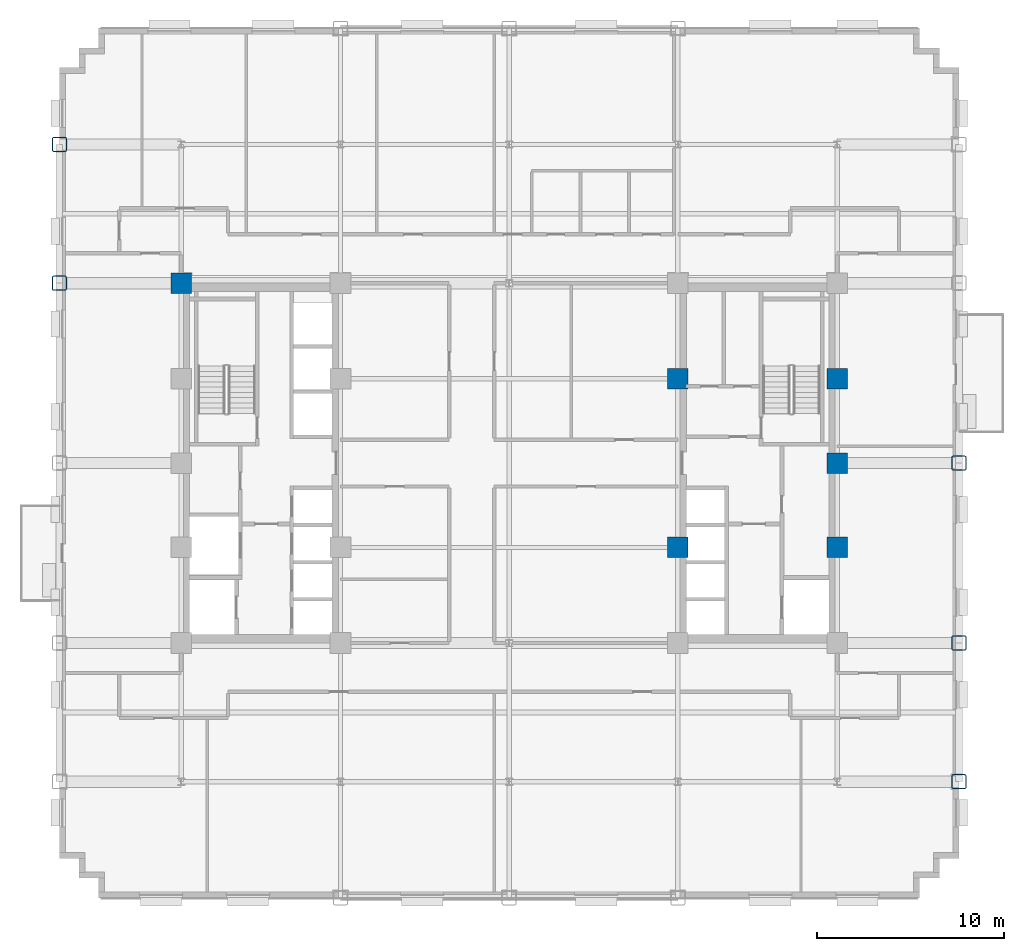
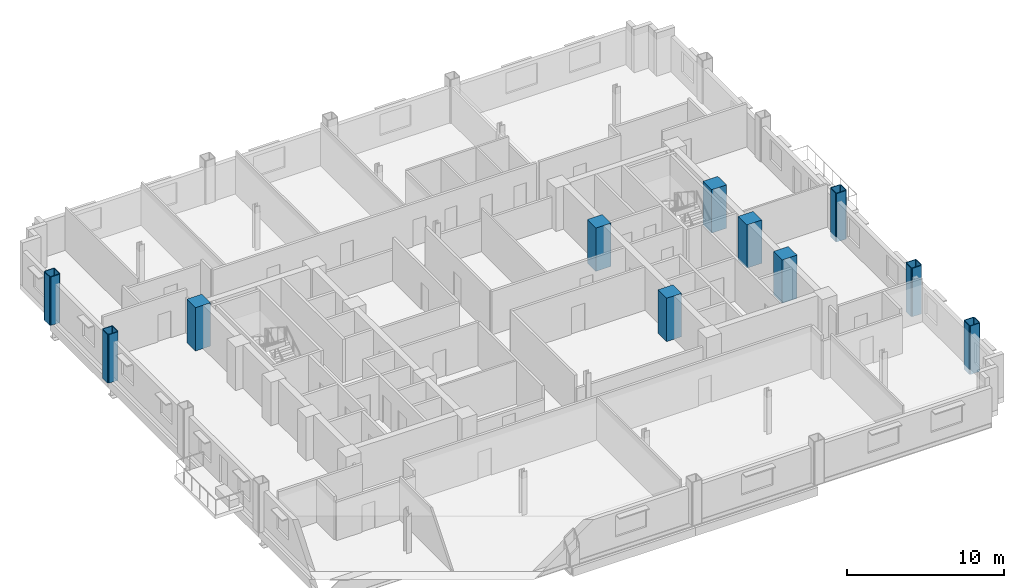
# One storey, part 2 of 15: 11 columns.
"""IFC4 building model written with IfcOpenShell, lengths in metres."""

import ifcopenshell
import ifcopenshell.guid

model = None  # the IFC model being written
_history = None  # IfcOwnerHistory: only IFC2X3 demands one
_inside = {}  # id of a spatial element -> (the spatial element, [elements in it])
_under = {}  # id of a project, library or spatial element -> (it, [spatial elements below it])
_declared = {}  # id of a project -> (the project, [libraries it declares])
_typed = {}  # id of a type object -> (the type object, [elements of that type])
_made_of = {}  # id of a material, layer set ... -> (it, [elements and type objects made of it])


def new_model(schema):
    """Start an empty IFC model of exactly this schema.

    Asked for "IFC4X3", IfcOpenShell would pick the latest addendum, in which some entities
    have other attributes; the version numbers below select the first issue.
    IFC2X3 requires an IfcOwnerHistory on every rooted entity: one is made here for all.
    """
    global model, _history
    if schema == "IFC4X3":
        model = ifcopenshell.file(schema_version=(4, 3, 0, 0))
    else:
        model = ifcopenshell.file(schema=schema)
    _inside.clear()
    _under.clear()
    _declared.clear()
    _typed.clear()
    _made_of.clear()
    _history = None
    if model.schema == "IFC2X3":
        org = make("IfcOrganization", Name="unknown")
        user = make(
            "IfcPersonAndOrganization",
            ThePerson=make("IfcPerson", FamilyName="unknown"),
            TheOrganization=org,
        )
        app = make(
            "IfcApplication",
            ApplicationDeveloper=org,
            Version="unknown",
            ApplicationFullName="unknown",
            ApplicationIdentifier="unknown",
        )
        _history = make(
            "IfcOwnerHistory",
            OwningUser=user,
            OwningApplication=app,
            ChangeAction="ADDED",
            CreationDate=0,
        )
    return model


def make(cls, **values):
    """One entity of the class cls with the attributes given. An attribute that is None is left unset."""
    return model.create_entity(
        cls, **{name: value for name, value in values.items() if value is not None}
    )


def rooted(cls, **values):
    """An entity with a GlobalId (a new one), such as an element, a storey or a relation."""
    return make(cls, GlobalId=ifcopenshell.guid.new(), OwnerHistory=_history, **values)


def si_unit(unit_type, name, prefix=None):
    """IfcSIUnit, for example si_unit("LENGTHUNIT", "METRE", prefix="MILLI")."""
    return make("IfcSIUnit", UnitType=unit_type, Prefix=prefix, Name=name)


def assignment(units):
    """IfcUnitAssignment: the units of a project."""
    return None if units is None else make("IfcUnitAssignment", Units=units)


def point(xyz):
    """IfcCartesianPoint."""
    return None if xyz is None else make("IfcCartesianPoint", Coordinates=xyz)


def direction(xyz):
    """IfcDirection."""
    return None if xyz is None else make("IfcDirection", DirectionRatios=xyz)


def frame(location, z_axis=None, x_axis=None):
    """IfcAxis2Placement3D, a coordinate frame: its origin and axes. An axis left out is left unset."""
    return make(
        "IfcAxis2Placement3D",
        Location=point(location),
        Axis=direction(z_axis),
        RefDirection=direction(x_axis),
    )


def frame_2d(location, x_axis=None):
    """IfcAxis2Placement2D, a coordinate frame in the plane: its origin and x axis."""
    return make(
        "IfcAxis2Placement2D", Location=point(location), RefDirection=direction(x_axis)
    )


def origin():
    """The frame at (0, 0, 0) with its axes left unset."""
    return frame((0.0, 0.0, 0.0))


def origin_2d():
    """The frame at (0, 0) in the plane with its x axis left unset."""
    return frame_2d((0.0, 0.0))


def place(relative_to, where):
    """IfcLocalPlacement: puts the frame where relative to a parent placement (None: the world)."""
    return make(
        "IfcLocalPlacement", PlacementRelTo=relative_to, RelativePlacement=where
    )


def context(
    kind, dimensions, precision=None, world=None, true_north=None, identifier=None
):
    """IfcGeometricRepresentationContext, for example the 3D "Model" context."""
    return make(
        "IfcGeometricRepresentationContext",
        ContextIdentifier=identifier,
        ContextType=kind,
        CoordinateSpaceDimension=dimensions,
        Precision=precision,
        WorldCoordinateSystem=world,
        TrueNorth=true_north,
    )


def subcontext(parent, identifier, kind, view, scale=None):
    """IfcGeometricRepresentationSubContext, for example "Body" below "Model"."""
    return make(
        "IfcGeometricRepresentationSubContext",
        ContextIdentifier=identifier,
        ContextType=kind,
        ParentContext=parent,
        TargetScale=scale,
        TargetView=view,
    )


def project(units=None, contexts=None):
    """IfcProject with its units and contexts."""
    return rooted(
        "IfcProject",
        Name="project",
        RepresentationContexts=contexts,
        UnitsInContext=assignment(units),
    )


def spatial(cls, under=None, at=None, **own):
    """A site, building, storey or space (cls), placed at a placement, below another one or the project."""
    s = rooted(cls, ObjectPlacement=at, **own)
    if under is not None:
        _under.setdefault(under.id(), (under, []))[1].append(s)
    return s


def profile(cls, at=None, kind="AREA", **sizes):
    """A parametric profile (cls). Its sizes go by their IFC names, for example OverallWidth=200.0."""
    return make(cls, ProfileType=kind, Position=at, **sizes)


def rectangle(**sizes):
    """IfcRectangleProfileDef."""
    return profile("IfcRectangleProfileDef", **sizes)


def hollow_rectangle(**sizes):
    """IfcRectangleHollowProfileDef."""
    return profile("IfcRectangleHollowProfileDef", **sizes)


def extrude(swept, where, along, depth):
    """IfcExtrudedAreaSolid: the profile swept, set in the frame where, extruded along a direction by depth."""
    return make(
        "IfcExtrudedAreaSolid",
        SweptArea=swept,
        Position=where,
        ExtrudedDirection=direction(along),
        Depth=depth,
    )


def shape(context_of_items, identifier, shape_type, items):
    """IfcShapeRepresentation: the items that make up one representation, for example the "Body"."""
    return make(
        "IfcShapeRepresentation",
        ContextOfItems=context_of_items,
        RepresentationIdentifier=identifier,
        RepresentationType=shape_type,
        Items=items,
    )


def material(Name=None, Category=None):
    """IfcMaterial."""
    return make("IfcMaterial", Name=Name, Category=Category)


def material_profile(
    of_material, cross_section, Name=None, Category=None, Priority=None
):
    """IfcMaterialProfile: a cross section and its material."""
    return make(
        "IfcMaterialProfile",
        Name=Name,
        Material=of_material,
        Profile=cross_section,
        Priority=Priority,
        Category=Category,
    )


def profile_set(profiles, Name=None, composite=None):
    """IfcMaterialProfileSet."""
    return make(
        "IfcMaterialProfileSet",
        Name=Name,
        MaterialProfiles=profiles,
        CompositeProfile=composite,
    )


def made_of(thing, what):
    """Note that an element or type object is made of a material, layer set ...; save() writes the relation."""
    if what is not None:
        _made_of.setdefault(what.id(), (what, []))[1].append(thing)
    return thing


def type_object(cls, material=None, **own):
    """A type object (cls), such as IfcWallType, which elements share."""
    return made_of(rooted(cls, **own), material)


def element(
    cls,
    number,
    at=None,
    inside=None,
    cuts=None,
    type_object=None,
    material=None,
    context=None,
    identifier="Body",
    shape_type=None,
    held_by="IfcProductDefinitionShape",
    body=None,
    shapes=None,
    **own,
):
    """One element of the class cls, such as IfcWall. Its Tag is "e" and its number.

    at: its placement. inside: the storey or other place that contains it. cuts: it is an
    opening in that element (IfcRelVoidsElement). A single representation is given by context,
    identifier, shape_type and body (its items); several are given by shapes. held_by: the class
    of the entity that holds the representations. save() writes the other relations.
    """
    e = rooted(cls, Tag="e%d" % number, ObjectPlacement=at, **own)
    if body is not None:
        shapes = [shape(context, identifier, shape_type, body)]
    if shapes is not None:
        e.Representation = make(held_by, Representations=shapes)
    if inside is not None:
        _inside.setdefault(inside.id(), (inside, []))[1].append(e)
    if cuts is not None:
        rooted(
            "IfcRelVoidsElement", RelatingBuildingElement=cuts, RelatedOpeningElement=e
        )
    if type_object is not None:
        _typed.setdefault(type_object.id(), (type_object, []))[1].append(e)
    return made_of(e, material)


def aggregate(whole, parts):
    """IfcRelAggregates: a whole, such as a stair, and the parts it consists of."""
    return rooted("IfcRelAggregates", RelatingObject=whole, RelatedObjects=parts)


def save(model, path):
    """Write the relations noted so far, then the file.

    IfcRelAggregates (storeys below a building ...), IfcRelContainedInSpatialStructure (elements
    in a storey), IfcRelDefinesByType, IfcRelAssociatesMaterial and IfcRelDeclares: one each for
    every whole, place, type object, material and project.
    """
    for whole, parts in _under.values():
        aggregate(whole, parts)
    for where, things in _inside.values():
        rooted(
            "IfcRelContainedInSpatialStructure",
            RelatedElements=things,
            RelatingStructure=where,
        )
    for kind, things in _typed.values():
        rooted("IfcRelDefinesByType", RelatedObjects=things, RelatingType=kind)
    for what, things in _made_of.values():
        rooted("IfcRelAssociatesMaterial", RelatedObjects=things, RelatingMaterial=what)
    for by, libraries in _declared.values():
        rooted("IfcRelDeclares", RelatingContext=by, RelatedDefinitions=libraries)
    model.write(path)


model = new_model("IFC4")

# Units and contexts
model_context = context("Model", 3, precision=1e-05, world=origin(), true_north=direction((0.0, 1.0)))
body_context = subcontext(model_context, "Body", "Model", "MODEL_VIEW")
ifc_project = project(units=[si_unit("LENGTHUNIT", "METRE"), si_unit("AREAUNIT", "SQUARE_METRE"), si_unit("VOLUMEUNIT", "CUBIC_METRE"), si_unit("PLANEANGLEUNIT", "RADIAN"), si_unit("MASSUNIT", "GRAM", prefix="KILO")], contexts=[model_context])

# Site, building, storey
site_placement = place(None, origin())
site = spatial("IfcSite", under=ifc_project, at=site_placement, CompositionType="ELEMENT")
building_placement = place(site_placement, origin())
building = spatial("IfcBuilding", under=site, at=building_placement, Name="Nuvemarco Arch Tower", CompositionType="ELEMENT")
storey_placement = place(building_placement, frame((0.0, 0.0, 86.0)))
storey = spatial("IfcBuildingStorey", under=building, at=storey_placement, Name="L22", CompositionType="ELEMENT", Elevation=86.0)

# Columns
ifc_material_1 = material(Name="Concrete C60/75", Category="concrete")
ifc_material_profile_1 = material_profile(ifc_material_1, rectangle(XDim=1.10009765625, YDim=1.10009765625, at=origin_2d()), Name="RC-COL-1100x1100")
ifc_profile_set_1 = profile_set([ifc_material_profile_1], Name="Concrete C60/75")
column_type_1 = type_object("IfcColumnType", Name="COL-CORE-1100", PredefinedType="COLUMN", material=ifc_profile_set_1)
for number, where, z_axis, x_axis, name in (
    (1, (-17.5, 9.60009765625, 0.0), (0.0, 0.0, 1.0), (1.0, 0.0, 0.0), "L22 column CC_-17.5_+9.6"),
    (2, (9.0, -4.5, 0.0), (0.0, 0.0, 1.0), (1.0, 0.0, 0.0), "L22 column CC_+9.0_-4.5"),
    (3, (9.0, 4.5, 0.0), (0.0, 0.0, 1.0), (1.0, 0.0, 0.0), "L22 column CC_+9.0_+4.5"),
    (4, (17.5, -4.5, 0.0), (0.0, 0.0, 1.0), (1.0, 0.0, 0.0), "L22 column CC_+17.5_-4.5"),
    (5, (17.5, 4.5, 0.0), (0.0, 0.0, 1.0), (1.0, 0.0, 0.0), "L22 column CC_+17.5_+4.5"),
    (6, (17.5, 0.0, 0.0), (0.0, 0.0, 1.0), (1.0, 0.0, 0.0), "L22 column CC_+17.5_+0.0"),
):
    element("IfcColumn", number, at=place(storey_placement, frame(where, z_axis=z_axis, x_axis=x_axis)), inside=storey, type_object=column_type_1, Name=name, PredefinedType="COLUMN", context=body_context, shape_type="SweptSolid", body=[
        extrude(rectangle(XDim=1.10009765625, YDim=1.10009765625, at=origin_2d()), origin(), (0.0, 0.0, 1.0), 3.3701171875),
    ])
ifc_material_2 = material(Name="Steel S460", Category="steel")
ifc_material_profile_2 = material_profile(ifc_material_2, hollow_rectangle(XDim=0.800048828125, YDim=0.800048828125, WallThickness=0.054931640625, InnerFilletRadius=0.054931640625, OuterFilletRadius=0.110107421875, at=origin_2d()), Name="SHS800x800x55")
ifc_profile_set_2 = profile_set([ifc_material_profile_2], Name="Steel S460")
column_type_2 = type_object("IfcColumnType", Name="COL-EXO-800", PredefinedType="COLUMN", material=ifc_profile_set_2)
for number, where, z_axis, x_axis, name in (
    (7, (-24.0, 9.60009765625, -0.39990234375), (0.0, 0.0, 1.0), (1.0, 0.0, 0.0), "L22 column CX_-24.0_+9.6"),
    (8, (-24.0, 17.0, -0.39990234375), (0.0, 0.0, 1.0), (1.0, 0.0, 0.0), "L22 column CX_-24.0_+17.0"),
    (9, (24.0, -17.0, -0.39990234375), (0.0, 0.0, 1.0), (1.0, 0.0, 0.0), "L22 column CX_+24.0_-17.0"),
    (10, (24.0, -9.60009765625, -0.39990234375), (0.0, 0.0, 1.0), (1.0, 0.0, 0.0), "L22 column CX_+24.0_-9.6"),
    (11, (24.0, 0.0, -0.39990234375), (0.0, 0.0, 1.0), (1.0, 0.0, 0.0), "L22 column CX_+24.0_+0.0"),
):
    element("IfcColumn", number, at=place(storey_placement, frame(where, z_axis=z_axis, x_axis=x_axis)), inside=storey, type_object=column_type_2, Name=name, PredefinedType="COLUMN", context=body_context, shape_type="SweptSolid", body=[
        extrude(hollow_rectangle(XDim=0.800048828125, YDim=0.800048828125, WallThickness=0.054931640625, InnerFilletRadius=0.054931640625, OuterFilletRadius=0.110107421875, at=origin_2d()), origin(), (0.0, 0.0, 1.0), 3.77001953125),
    ])

save(model, "model.ifc")
